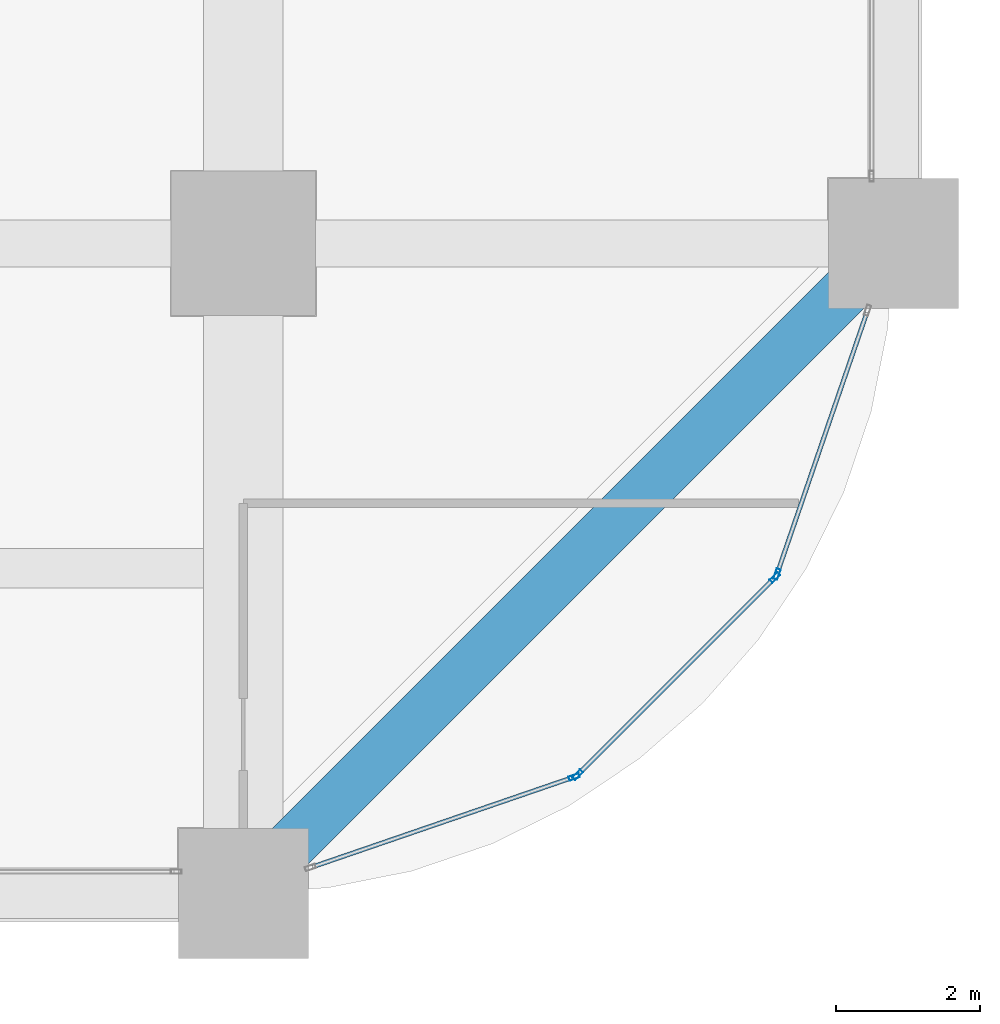
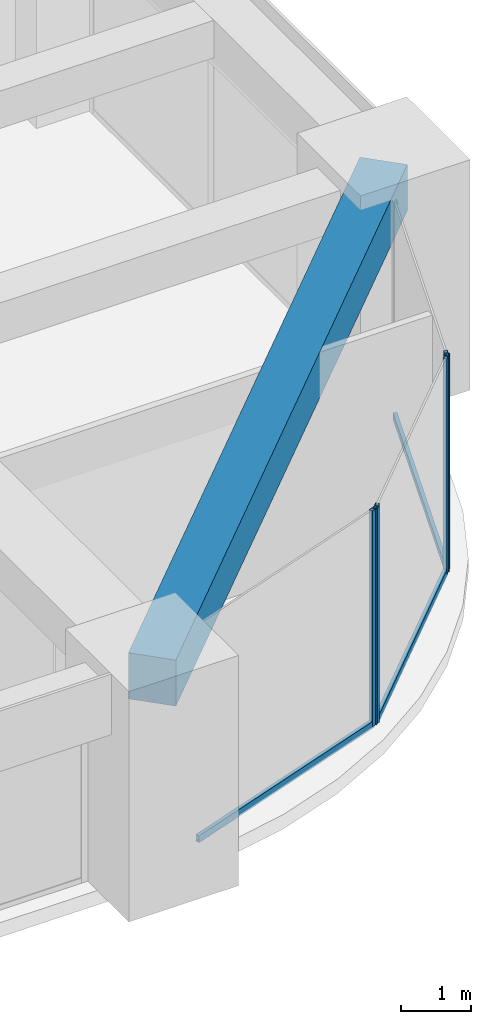
# One storey, part 17 of 39: 7 members, 1 beam, 3 elements without a shape of their own.
"""IFC4 building model written with IfcOpenShell, lengths in metres."""

from ifc_helpers import new_model, si_unit, direction, frame, origin, origin_2d, place, context, subcontext, project, spatial, rectangle, hollow_rectangle, extrude, material, material_profile, profile_set, type_object, element, aggregate, save


model = new_model("IFC4")

# Units and contexts
model_context = context("Model", 3, precision=1e-05, world=origin(), true_north=direction((0.0, 1.0)))
body_context = subcontext(model_context, "Body", "Model", "MODEL_VIEW")
ifc_project = project(units=[si_unit("LENGTHUNIT", "METRE"), si_unit("AREAUNIT", "SQUARE_METRE"), si_unit("VOLUMEUNIT", "CUBIC_METRE"), si_unit("PLANEANGLEUNIT", "RADIAN"), si_unit("MASSUNIT", "GRAM", prefix="KILO")], contexts=[model_context])

# Site, building, storey
site_placement = place(None, origin())
site = spatial("IfcSite", under=ifc_project, at=site_placement, CompositionType="ELEMENT")
building_placement = place(site_placement, origin())
building = spatial("IfcBuilding", under=site, at=building_placement, Name="Zorevar Civic Tower", CompositionType="ELEMENT")
storey_placement = place(building_placement, frame((0.0, 0.0, 121.0)))
storey = spatial("IfcBuildingStorey", under=building, at=storey_placement, Name="L29", CompositionType="ELEMENT", Elevation=121.0)

# Curtain wall, member
ifc_material_1 = material(Name="Dark grey solar-control glass in black aluminium frame", Category="aluminium")
curtain_wall_type = type_object("IfcCurtainWallType", Name="Curtain wall CW3 mid zone", PredefinedType="NOTDEFINED", material=ifc_material_1)
curtain_wall_1_placement = place(storey_placement, origin())
curtain_wall_1 = element("IfcCurtainWall", 1, at=curtain_wall_1_placement, inside=storey, type_object=curtain_wall_type, Name="CW3 L29", PredefinedType="NOTDEFINED")
ifc_material_2 = material(Name="Aluminium, black anodised", Category="aluminium")
ifc_material_profile_1 = material_profile(ifc_material_2, hollow_rectangle(XDim=0.06005859375, YDim=0.14990234375, WallThickness=0.00390625, at=origin_2d()), Name="AL 150x60x4")
ifc_profile_set_1 = profile_set([ifc_material_profile_1], Name="Aluminium, black anodised")
member_type_1 = type_object("IfcMemberType", Name="CW3 mullion AL 150x60x4", PredefinedType="MULLION", material=ifc_profile_set_1)
member_1_placement = place(storey_placement, frame((58.579345703125, 1.610595703125, 0.0), z_axis=(0.0, 0.0, 1.0), x_axis=(-0.324878466857, 0.945755772794, 0.0)))
member_1 = element("IfcMember", 2, at=member_1_placement, type_object=member_type_1, Name="CW3 mullion 2", PredefinedType="MULLION", context=body_context, shape_type="SweptSolid", body=[
    extrude(hollow_rectangle(XDim=0.06005859375, YDim=0.14990234375, WallThickness=0.00390625, at=origin_2d()), origin(), (0.0, 0.0, 1.0), 3.75),
])

# Curtain wall, members
curtain_wall_2_placement = place(storey_placement, origin())
curtain_wall_2 = element("IfcCurtainWall", 3, at=curtain_wall_2_placement, inside=storey, type_object=curtain_wall_type, Name="CW3 L29", PredefinedType="NOTDEFINED")
member_2_placement = place(storey_placement, frame((58.62890625, 1.6416015625, 0.0), z_axis=(0.0, 0.0, 1.0), x_axis=(-0.707106781187, 0.707106781187, 0.0)))
member_2 = element("IfcMember", 4, at=member_2_placement, type_object=member_type_1, Name="CW3 mullion 1", PredefinedType="MULLION", context=body_context, shape_type="SweptSolid", body=[
    extrude(hollow_rectangle(XDim=0.06005859375, YDim=0.14990234375, WallThickness=0.00390625, at=origin_2d()), origin(), (0.0, 0.0, 1.0), 3.75),
])
member_3_placement = place(storey_placement, frame((61.3583984375, 4.37109375, 0.0), z_axis=(0.0, 0.0, 1.0), x_axis=(-0.707106781187, 0.707106781187, 0.0)))
member_3 = element("IfcMember", 5, at=member_3_placement, type_object=member_type_1, Name="CW3 mullion 2", PredefinedType="MULLION", context=body_context, shape_type="SweptSolid", body=[
    extrude(hollow_rectangle(XDim=0.06005859375, YDim=0.14990234375, WallThickness=0.00390625, at=origin_2d()), origin(), (0.0, 0.0, 1.0), 3.75),
])

# Curtain wall, member
curtain_wall_3_placement = place(storey_placement, origin())
curtain_wall_3 = element("IfcCurtainWall", 6, at=curtain_wall_3_placement, inside=storey, type_object=curtain_wall_type, Name="CW3 L29", PredefinedType="NOTDEFINED")
member_4_placement = place(storey_placement, frame((61.389404296875, 4.420654296875, 0.0), z_axis=(0.0, 0.0, 1.0), x_axis=(-0.945755772794, 0.324878466857, 0.0)))
member_4 = element("IfcMember", 7, at=member_4_placement, type_object=member_type_1, Name="CW3 mullion 1", PredefinedType="MULLION", context=body_context, shape_type="SweptSolid", body=[
    extrude(hollow_rectangle(XDim=0.06005859375, YDim=0.14990234375, WallThickness=0.00390625, at=origin_2d()), origin(), (0.0, 0.0, 1.0), 3.75),
])

# Member
ifc_material_3 = material(Name="Aluminium, black anodised", Category="aluminium")
ifc_material_profile_2 = material_profile(ifc_material_3, hollow_rectangle(XDim=0.06005859375, YDim=0.1201171875, WallThickness=0.0029296875, at=origin_2d()), Name="AL 120x60x3")
ifc_profile_set_2 = profile_set([ifc_material_profile_2], Name="Aluminium, black anodised")
member_type_2 = type_object("IfcMemberType", Name="CW3 transom AL 120x60x3", PredefinedType="USERDEFINED", material=ifc_profile_set_2)
member_5_placement = place(storey_placement, frame((54.956787109375, 0.3662109375, 0.030029296875), z_axis=(0.945752620422, 0.324887643602, 0.0), x_axis=(-0.324887643602, 0.945752620422, 0.0)))
member_5 = element("IfcMember", 8, at=member_5_placement, type_object=member_type_2, Name="CW3 sill transom", ObjectType="TRANSOM", PredefinedType="USERDEFINED", context=body_context, shape_type="SweptSolid", body=[
    extrude(hollow_rectangle(XDim=0.06005859375, YDim=0.1201171875, WallThickness=0.0029296875, at=origin_2d()), origin(), (0.0, 0.0, 1.0), 3.800048828125),
])

aggregate(curtain_wall_1, [member_1, member_5])

member_6_placement = place(storey_placement, frame((58.650146484375, 1.662841796875, 0.030029296875), z_axis=(0.707106781187, 0.707106781187, 0.0), x_axis=(-0.707106781187, 0.707106781187, 0.0)))
member_6 = element("IfcMember", 9, at=member_6_placement, type_object=member_type_2, Name="CW3 sill transom", ObjectType="TRANSOM", PredefinedType="USERDEFINED", context=body_context, shape_type="SweptSolid", body=[
    extrude(hollow_rectangle(XDim=0.06005859375, YDim=0.1201171875, WallThickness=0.0029296875, at=origin_2d()), origin(), (0.0, 0.0, 1.0), 3.800048828125),
])

aggregate(curtain_wall_2, [member_2, member_3, member_6])

member_7_placement = place(storey_placement, frame((61.399169921875, 4.44921875, 0.030029296875), z_axis=(0.324887643602, 0.945752620422, 0.0), x_axis=(-0.945752620422, 0.324887643602, 0.0)))
member_7 = element("IfcMember", 10, at=member_7_placement, type_object=member_type_2, Name="CW3 sill transom", ObjectType="TRANSOM", PredefinedType="USERDEFINED", context=body_context, shape_type="SweptSolid", body=[
    extrude(hollow_rectangle(XDim=0.06005859375, YDim=0.1201171875, WallThickness=0.0029296875, at=origin_2d()), origin(), (0.0, 0.0, 1.0), 3.800048828125),
])

aggregate(curtain_wall_3, [member_4, member_7])

# Beam
ifc_material_4 = material(Name="Concrete C50/60", Category="concrete")
ifc_material_profile_3 = material_profile(ifc_material_4, rectangle(XDim=0.699951171875, YDim=0.800048828125, at=origin_2d()), Name="RC 700x800")
ifc_profile_set_3 = profile_set([ifc_material_profile_3], Name="Concrete C50/60")
beam_type = type_object("IfcBeamType", Name="Edge beam RC 700x800", PredefinedType="SPANDREL", material=ifc_profile_set_3)
beam_placement = place(storey_placement, frame((54.0, 0.0, 3.35009765625), z_axis=(0.707106781187, 0.707106781187, 0.0), x_axis=(-0.707106781187, 0.707106781187, 0.0)))
element("IfcBeam", 11, at=beam_placement, inside=storey, type_object=beam_type, Name="Corner edge beam L30", PredefinedType="SPANDREL", context=body_context, shape_type="SweptSolid", body=[
    extrude(rectangle(XDim=0.699951171875, YDim=0.800048828125, at=origin_2d()), origin(), (0.0, 0.0, 1.0), 12.72802734375),
])

save(model, "model.ifc")
